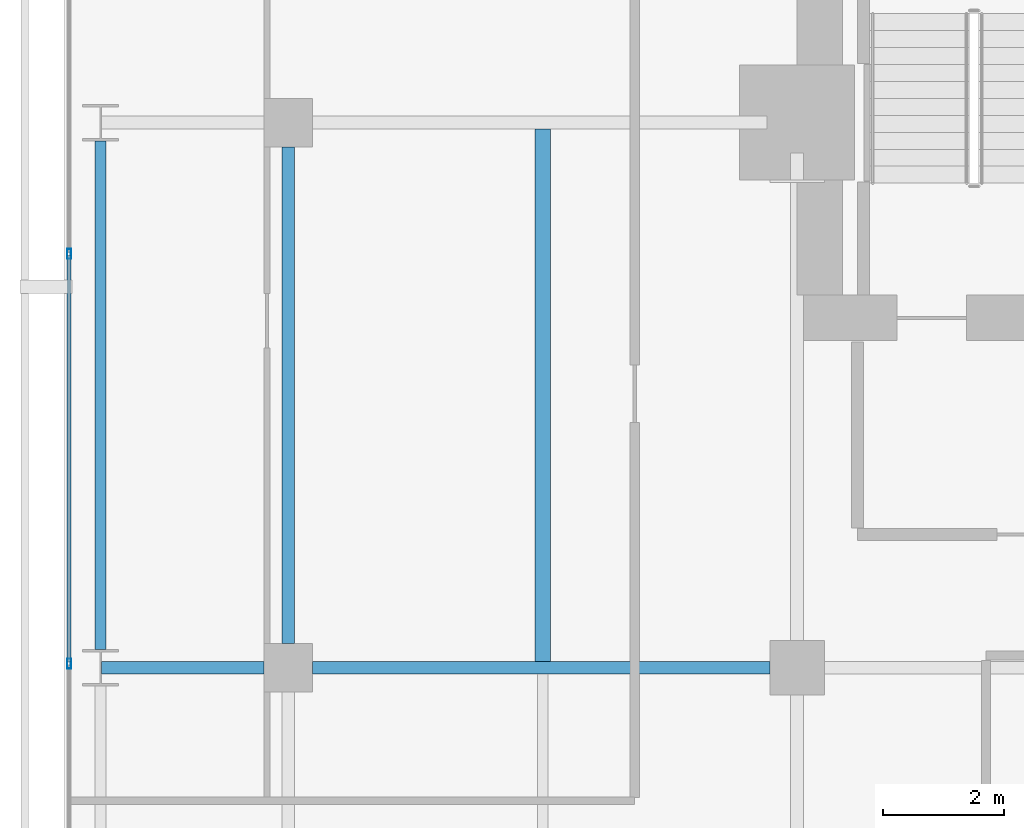
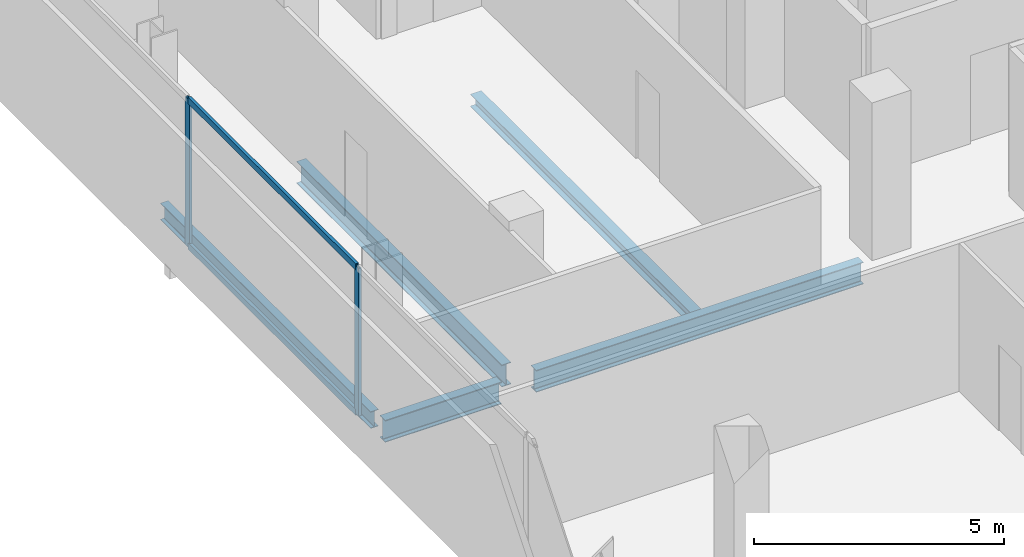
# One storey, part 18 of 33: 5 beams, 4 members, 1 element without a shape of its own.
"""IFC4 building model written with IfcOpenShell, lengths in metres."""

from ifc_helpers import new_model, si_unit, direction, frame, origin, origin_2d, place, context, subcontext, project, spatial, hollow_rectangle, i_section, extrude, material, layer, layer_set, material_profile, profile_set, type_object, element, aggregate, save


model = new_model("IFC4")

# Units and contexts
model_context = context("Model", 3, precision=1e-05, world=origin(), true_north=direction((0.0, 1.0)))
body_context = subcontext(model_context, "Body", "Model", "MODEL_VIEW")
ifc_project = project(units=[si_unit("LENGTHUNIT", "METRE"), si_unit("AREAUNIT", "SQUARE_METRE"), si_unit("VOLUMEUNIT", "CUBIC_METRE"), si_unit("PLANEANGLEUNIT", "RADIAN"), si_unit("MASSUNIT", "GRAM", prefix="KILO")], contexts=[model_context])

# Site, building, storey
site_placement = place(None, origin())
site = spatial("IfcSite", under=ifc_project, at=site_placement, CompositionType="ELEMENT")
building_placement = place(site_placement, origin())
building = spatial("IfcBuilding", under=site, at=building_placement, Name="Maruvema Waterfront Hotel and Observation Tower", CompositionType="ELEMENT")
storey_placement = place(building_placement, frame((0.0, 0.0, 200.550048828125)))
storey = spatial("IfcBuildingStorey", under=building, at=storey_placement, Name="L49", CompositionType="ELEMENT", Elevation=200.550048828125)

# Curtain wall, members
ifc_material_1 = material(Name="Anodised bronze aluminium and solar-control low-E IGU", Category="aluminium")
ifc_layer = layer(ifc_material_1, 0.159912109375, Name="Zone 2 Amber Inner Thermal Curtain Wall System CW-03")
ifc_layer_set = layer_set([ifc_layer], Name="Anodised bronze aluminium and solar-control low-E IGU")
curtain_wall_type = type_object("IfcCurtainWallType", Name="Zone 2 Amber Inner Thermal Curtain Wall System CW-03", PredefinedType="USERDEFINED", material=ifc_layer_set)
curtain_wall_placement = place(storey_placement, origin())
curtain_wall = element("IfcCurtainWall", 1, at=curtain_wall_placement, inside=storey, type_object=curtain_wall_type, Name="L49 Curtain Wall CW-L49-W", ObjectType="UNITISED CURTAIN WALL", PredefinedType="USERDEFINED")
ifc_material_2 = material(Name="Anodised architectural bronze aluminium", Category="aluminium")
ifc_material_profile_1 = material_profile(ifc_material_2, hollow_rectangle(XDim=0.070068359375, YDim=0.14990234375, WallThickness=0.00390625, at=origin_2d()), Name="ALU-T70x150")
ifc_profile_set_1 = profile_set([ifc_material_profile_1], Name="Anodised architectural bronze aluminium")
member_type_1 = type_object("IfcMemberType", Name="Curtain Wall Horizontal Transom ALU-T70x150", PredefinedType="USERDEFINED", material=ifc_profile_set_1)
member_1_placement = place(storey_placement, frame((13.179931640625, 42.80322265625, 0.030029296875), z_axis=(0.0, -1.0, 0.0), x_axis=(1.0, 0.0, 0.0)))
member_1 = element("IfcMember", 2, at=member_1_placement, type_object=member_type_1, Name="CW-03 transom 2.1", ObjectType="TRANSOM", PredefinedType="USERDEFINED", context=body_context, shape_type="SweptSolid", body=[
    extrude(hollow_rectangle(XDim=0.070068359375, YDim=0.14990234375, WallThickness=0.00390625, at=origin_2d()), origin(), (0.0, 0.0, 1.0), 6.70654296875),
])
member_2_placement = place(storey_placement, frame((13.179931640625, 42.80322265625, 3.579833984375), z_axis=(0.0, -1.0, 0.0), x_axis=(1.0, 0.0, 0.0)))
member_2 = element("IfcMember", 3, at=member_2_placement, type_object=member_type_1, Name="CW-03 transom 2.2", ObjectType="TRANSOM", PredefinedType="USERDEFINED", context=body_context, shape_type="SweptSolid", body=[
    extrude(hollow_rectangle(XDim=0.070068359375, YDim=0.14990234375, WallThickness=0.00390625, at=origin_2d()), origin(), (0.0, 0.0, 1.0), 6.70654296875),
])
ifc_material_3 = material(Name="Anodised architectural bronze aluminium", Category="aluminium")
ifc_material_profile_2 = material_profile(ifc_material_3, hollow_rectangle(XDim=0.06494140625, YDim=0.1650390625, WallThickness=0.00390625, at=origin_2d()), Name="ALU-M65x165")
ifc_profile_set_2 = profile_set([ifc_material_profile_2], Name="Anodised architectural bronze aluminium")
member_type_2 = type_object("IfcMemberType", Name="Curtain Wall Primary Mullion ALU-M65x165", PredefinedType="MULLION", material=ifc_profile_set_2)
member_3_placement = place(storey_placement, frame((13.179931640625, 42.833251953125, 0.0), z_axis=(0.0, 0.0, 1.0), x_axis=(1.0, 0.0, 0.0)))
member_3 = element("IfcMember", 4, at=member_3_placement, type_object=member_type_2, Name="CW-03 mullion 2", PredefinedType="MULLION", context=body_context, shape_type="SweptSolid", body=[
    extrude(hollow_rectangle(XDim=0.06494140625, YDim=0.1650390625, WallThickness=0.00390625, at=origin_2d()), origin(), (0.0, 0.0, 1.0), 3.60986328125),
])
member_4_placement = place(storey_placement, frame((13.179931640625, 36.066650390625, 0.0), z_axis=(0.0, 0.0, 1.0), x_axis=(1.0, 0.0, 0.0)))
member_4 = element("IfcMember", 5, at=member_4_placement, type_object=member_type_2, Name="CW-03 mullion 3", PredefinedType="MULLION", context=body_context, shape_type="SweptSolid", body=[
    extrude(hollow_rectangle(XDim=0.06494140625, YDim=0.1650390625, WallThickness=0.00390625, at=origin_2d()), origin(), (0.0, 0.0, 1.0), 3.60986328125),
])
aggregate(curtain_wall, [member_3, member_4, member_1, member_2])

# Beams
ifc_material_4 = material(Name="Steel ASTM A572 Grade 50", Category="steel")
ifc_material_profile_3 = material_profile(ifc_material_4, i_section(OverallWidth=0.178955078125, OverallDepth=0.409912109375, WebThickness=0.0087890625, FlangeThickness=0.014404296875, FilletRadius=0.014892578125, at=origin_2d()), Name="W410x67.0")
ifc_profile_set_3 = profile_set([ifc_material_profile_3], Name="Steel ASTM A572 Grade 50")
beam_type_1 = type_object("IfcBeamType", Name="Perimeter Spandrel Beam W410x67.0", PredefinedType="SPANDREL", material=ifc_profile_set_3)
beam_1_placement = place(storey_placement, frame((13.699951171875, 36.300048828125, -0.445068359375), z_axis=(0.0, 1.0, 0.0), x_axis=(-1.0, 0.0, 0.0)))
element("IfcBeam", 6, at=beam_1_placement, inside=storey, type_object=beam_type_1, Name="L49 Floor Girder NS-04", PredefinedType="SPANDREL", context=body_context, shape_type="SweptSolid", body=[
    extrude(i_section(OverallWidth=0.178955078125, OverallDepth=0.409912109375, WebThickness=0.0087890625, FlangeThickness=0.014404296875, FilletRadius=0.014892578125, at=origin_2d()), origin(), (0.0, 0.0, 1.0), 8.39990234375),
])
ifc_material_5 = material(Name="Steel ASTM A572 Grade 50", Category="steel")
ifc_material_profile_4 = material_profile(ifc_material_5, i_section(OverallWidth=0.2109375, OverallDepth=0.5390625, WebThickness=0.01171875, FlangeThickness=0.018798828125, FilletRadius=0.014892578125, at=origin_2d()), Name="W530x109.0")
ifc_profile_set_4 = profile_set([ifc_material_profile_4], Name="Steel ASTM A572 Grade 50")
beam_type_2 = type_object("IfcBeamType", Name="Primary Floor Girder W530x109.0", PredefinedType="BEAM", material=ifc_profile_set_4)
beam_2_placement = place(storey_placement, frame((13.71240234375, 36.0, -0.509521484375), z_axis=(1.0, 0.0, 0.0), x_axis=(0.0, 1.0, 0.0)))
element("IfcBeam", 7, at=beam_2_placement, inside=storey, type_object=beam_type_2, Name="L49 Floor Girder EW-23", PredefinedType="BEAM", context=body_context, shape_type="SweptSolid", body=[
    extrude(i_section(OverallWidth=0.2109375, OverallDepth=0.5390625, WebThickness=0.01171875, FlangeThickness=0.018798828125, FilletRadius=0.014892578125, at=origin_2d()), origin(), (0.0, 0.0, 1.0), 2.6875),
])
beam_3_placement = place(storey_placement, frame((17.199951171875, 36.0, -0.509521484375), z_axis=(1.0, 0.0, 0.0), x_axis=(0.0, 1.0, 0.0)))
element("IfcBeam", 8, at=beam_3_placement, inside=storey, type_object=beam_type_2, Name="L49 Floor Girder EW-24", PredefinedType="BEAM", context=body_context, shape_type="SweptSolid", body=[
    extrude(i_section(OverallWidth=0.2109375, OverallDepth=0.5390625, WebThickness=0.01171875, FlangeThickness=0.018798828125, FilletRadius=0.014892578125, at=origin_2d()), origin(), (0.0, 0.0, 1.0), 7.550048828125),
])
beam_4_placement = place(storey_placement, frame((16.800048828125, 36.39990234375, -0.509521484375), z_axis=(0.0, 1.0, 0.0), x_axis=(-1.0, 0.0, 0.0)))
element("IfcBeam", 9, at=beam_4_placement, inside=storey, type_object=beam_type_2, Name="L49 Floor Girder NS-08", PredefinedType="BEAM", context=body_context, shape_type="SweptSolid", body=[
    extrude(i_section(OverallWidth=0.2109375, OverallDepth=0.5390625, WebThickness=0.01171875, FlangeThickness=0.018798828125, FilletRadius=0.014892578125, at=origin_2d()), origin(), (0.0, 0.0, 1.0), 8.2001953125),
])
ifc_material_6 = material(Name="Steel ASTM A572 Grade 50", Category="steel")
ifc_material_profile_5 = material_profile(ifc_material_6, i_section(OverallWidth=0.25390625, OverallDepth=0.305908203125, WebThickness=0.0087890625, FlangeThickness=0.0146484375, FilletRadius=0.014892578125, at=origin_2d()), Name="W310x79.0")
ifc_profile_set_5 = profile_set([ifc_material_profile_5], Name="Steel ASTM A572 Grade 50")
beam_type_3 = type_object("IfcBeamType", Name="Secondary Floor Joist W310x79.0", PredefinedType="JOIST", material=ifc_profile_set_5)
beam_5_placement = place(storey_placement, frame((21.0, 36.10546875, -0.39306640625), z_axis=(0.0, 1.0, 0.0), x_axis=(-1.0, 0.0, 0.0)))
element("IfcBeam", 10, at=beam_5_placement, inside=storey, type_object=beam_type_3, Name="L49 Secondary Floor Joist JS-04", PredefinedType="JOIST", context=body_context, shape_type="SweptSolid", body=[
    extrude(i_section(OverallWidth=0.25390625, OverallDepth=0.305908203125, WebThickness=0.0087890625, FlangeThickness=0.0146484375, FilletRadius=0.014892578125, at=origin_2d()), origin(), (0.0, 0.0, 1.0), 8.7890625),
])

save(model, "model.ifc")
